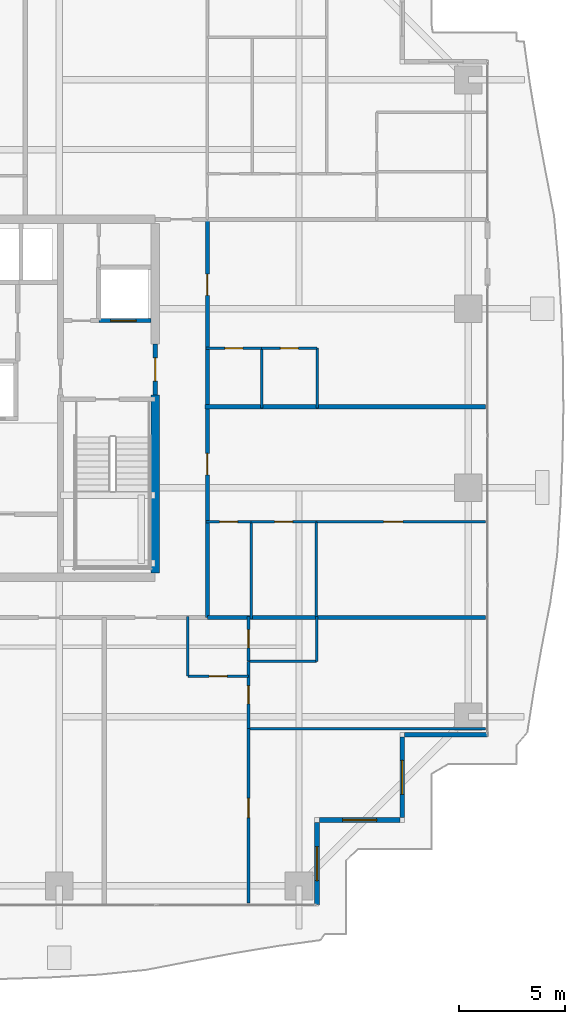
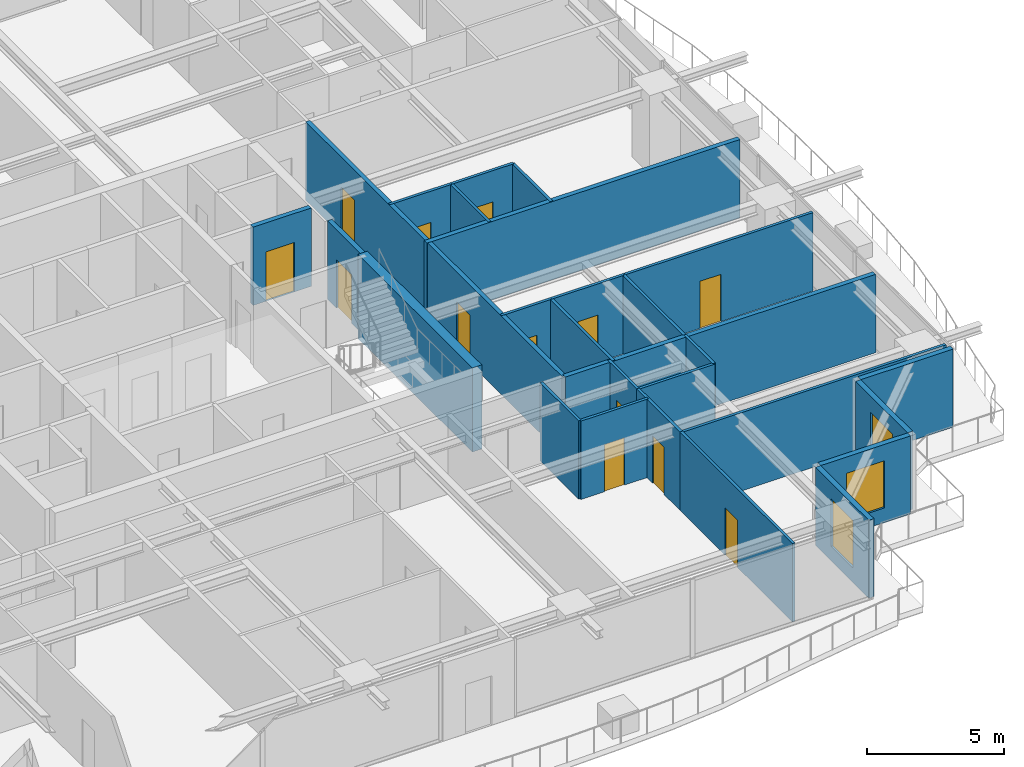
# One storey, part 28 of 36: 27 walls, 13 doors, 3 windows, 16 openings.
"""IFC4 building model written with IfcOpenShell, lengths in metres."""

from ifc_helpers import new_model, si_unit, direction, frame, frame_2d, origin, place, context, subcontext, project, spatial, rectangle, extrude, source, transform, mapped, material, layer, layer_set, type_object, element, fill, save


model = new_model("IFC4")

# Units and contexts
model_context = context("Model", 3, precision=1e-05, world=origin(), true_north=direction((0.0, 1.0)))
body_context = subcontext(model_context, "Body", "Model", "MODEL_VIEW")
ifc_project = project(units=[si_unit("LENGTHUNIT", "METRE"), si_unit("AREAUNIT", "SQUARE_METRE"), si_unit("VOLUMEUNIT", "CUBIC_METRE"), si_unit("PLANEANGLEUNIT", "RADIAN"), si_unit("MASSUNIT", "GRAM", prefix="KILO")], contexts=[model_context])

# Site, building, storey
site_placement = place(None, origin())
site = spatial("IfcSite", under=ifc_project, at=site_placement, CompositionType="ELEMENT")
building_placement = place(site_placement, origin())
building = spatial("IfcBuilding", under=site, at=building_placement, Name="Serunith Strait Residences", CompositionType="ELEMENT")
storey_placement = place(building_placement, frame((0.0, 0.0, 131.39990234375)))
storey = spatial("IfcBuildingStorey", under=building, at=storey_placement, Name="L32", CompositionType="ELEMENT", Elevation=131.39990234375)

# Wall, opening, window
ifc_material_1 = material(Name="Pale-Champagne Aluminium Insulated Panel", Category="aluminium")
ifc_layer_1 = layer(ifc_material_1, 0.219970703125, Name="Pale-Champagne Aluminium Insulated Panel")
ifc_layer_set_1 = layer_set([ifc_layer_1], Name="Pale-Champagne Aluminium Insulated Panel")
wall_type_1 = type_object("IfcWallType", Name="EW-ALUM-220", PredefinedType="ELEMENTEDWALL", material=ifc_layer_set_1)
wall_1_placement = place(storey_placement, frame((49.0, 1.39990234375, 0.0), z_axis=(0.0, 0.0, 1.0), x_axis=(0.0, 1.0, 0.0)))
wall_1 = element("IfcWall", 1, at=wall_1_placement, inside=storey, type_object=wall_type_1, Name="L32 Girih Serrated Corner Wall 02", PredefinedType="ELEMENTEDWALL", context=body_context, shape_type="SweptSolid", body=[
    extrude(rectangle(XDim=3.89013671875, YDim=0.219970703125, at=frame_2d((1.945068359375, 0.0))), origin(), (0.0, 0.0, 1.0), 3.47509765625),
])
opening_1_placement = place(wall_1_placement, frame((1.14501953125, 0.0, 0.64990234375)))
opening_1 = element("IfcOpeningElement", 2, at=opening_1_placement, cuts=wall_1, Name="Opening W-02", PredefinedType="OPENING", context=body_context, shape_type="SweptSolid", body=[
    extrude(rectangle(XDim=1.60009765625, YDim=2.10009765625, at=frame_2d((0.800048828125, 1.050048828125))), frame((0.0, 0.1201171875, 0.0), z_axis=(0.0, -1.0, 0.0), x_axis=(1.0, 0.0, 0.0)), (0.0, 0.0, 1.0), 0.239990234375),
])
ifc_material_2 = material(Name="Ceramic-Fritted Operable Aluminium Window Glass", Category="aluminium")
window_type = type_object("IfcWindowType", Name="WIN-C2", PartitioningType="DOUBLE_PANEL_VERTICAL", PredefinedType="WINDOW", material=ifc_material_2)
shared_shape_1 = source(origin(), body_context, "Body", "SweptSolid", [
    extrude(rectangle(XDim=1.60009765625, YDim=2.10009765625, at=frame_2d((0.800048828125, 1.050048828125))), frame((0.0, 0.030029296875, 0.0), z_axis=(0.0, -1.0, 0.0), x_axis=(1.0, 0.0, 0.0)), (0.0, 0.0, 1.0), 0.06005859375),
])
window_1_placement = place(opening_1_placement, origin())
window_1 = element("IfcWindow", 3, at=window_1_placement, inside=storey, type_object=window_type, Name="L32 Corner Operable Fritted Window 02", OverallHeight=2.10009765625, OverallWidth=1.60009765625, PartitioningType="SINGLE_PANEL", PredefinedType="WINDOW", context=body_context, shape_type="MappedRepresentation", body=[
    mapped(shared_shape_1, transform((0.0, 0.0, 0.0), scale=1.0)),
])
fill(opening_1, window_1)

wall_2_placement = place(storey_placement, frame((49.110107421875, 5.39990234375, 0.0), z_axis=(0.0, 0.0, 1.0), x_axis=(1.0, 0.0, 0.0)))
wall_2 = element("IfcWall", 4, at=wall_2_placement, inside=storey, type_object=wall_type_1, Name="L32 Girih Serrated Corner Wall 03", PredefinedType="ELEMENTEDWALL", context=body_context, shape_type="SweptSolid", body=[
    extrude(rectangle(XDim=3.77978515625, YDim=0.219970703125, at=frame_2d((1.889892578125, 0.0))), origin(), (0.0, 0.0, 1.0), 3.47509765625),
])
opening_2_placement = place(wall_2_placement, frame((1.090087890625, 0.0, 0.64990234375)))
opening_2 = element("IfcOpeningElement", 5, at=opening_2_placement, cuts=wall_2, Name="Opening W-02", PredefinedType="OPENING", context=body_context, shape_type="SweptSolid", body=[
    extrude(rectangle(XDim=1.60009765625, YDim=2.10009765625, at=frame_2d((0.800048828125, 1.050048828125))), frame((0.0, 0.1201171875, 0.0), z_axis=(0.0, -1.0, 0.0), x_axis=(1.0, 0.0, 0.0)), (0.0, 0.0, 1.0), 0.239990234375),
])
window_2_placement = place(opening_2_placement, origin())
window_2 = element("IfcWindow", 6, at=window_2_placement, inside=storey, type_object=window_type, Name="L32 Corner Operable Fritted Window 03", OverallHeight=2.10009765625, OverallWidth=1.60009765625, PartitioningType="SINGLE_PANEL", PredefinedType="WINDOW", context=body_context, shape_type="MappedRepresentation", body=[
    mapped(shared_shape_1, transform((0.0, 0.0, 0.0), scale=1.0)),
])
fill(opening_2, window_2)

wall_3_placement = place(storey_placement, frame((53.0, 5.510009765625, 0.0), z_axis=(0.0, 0.0, 1.0), x_axis=(0.0, 1.0, 0.0)))
wall_3 = element("IfcWall", 7, at=wall_3_placement, inside=storey, type_object=wall_type_1, Name="L32 Girih Serrated Corner Wall 04", PredefinedType="ELEMENTEDWALL", context=body_context, shape_type="SweptSolid", body=[
    extrude(rectangle(XDim=3.780029296875, YDim=0.219970703125, at=frame_2d((1.89013671875, 0.0))), origin(), (0.0, 0.0, 1.0), 3.47509765625),
])
opening_3_placement = place(wall_3_placement, frame((1.090087890625, 0.0, 0.64990234375)))
opening_3 = element("IfcOpeningElement", 8, at=opening_3_placement, cuts=wall_3, Name="Opening W-02", PredefinedType="OPENING", context=body_context, shape_type="SweptSolid", body=[
    extrude(rectangle(XDim=1.60009765625, YDim=2.10009765625, at=frame_2d((0.800048828125, 1.050048828125))), frame((0.0, 0.1201171875, 0.0), z_axis=(0.0, -1.0, 0.0), x_axis=(1.0, 0.0, 0.0)), (0.0, 0.0, 1.0), 0.239990234375),
])
window_3_placement = place(opening_3_placement, origin())
window_3 = element("IfcWindow", 9, at=window_3_placement, inside=storey, type_object=window_type, Name="L32 Corner Operable Fritted Window 04", OverallHeight=2.10009765625, OverallWidth=1.60009765625, PartitioningType="SINGLE_PANEL", PredefinedType="WINDOW", context=body_context, shape_type="MappedRepresentation", body=[
    mapped(shared_shape_1, transform((0.0, 0.0, 0.0), scale=1.0)),
])
fill(opening_3, window_3)

# Wall
wall_4_placement = place(storey_placement, frame((53.110107421875, 9.39990234375, 0.0), z_axis=(0.0, 0.0, 1.0), x_axis=(1.0, 0.0, 0.0)))
element("IfcWall", 10, at=wall_4_placement, inside=storey, type_object=wall_type_1, Name="L32 Girih Serrated Corner Wall 05", PredefinedType="ELEMENTEDWALL", context=body_context, shape_type="SweptSolid", body=[
    extrude(rectangle(XDim=3.889892578125, YDim=0.219970703125, at=frame_2d((1.94482421875, 0.0))), origin(), (0.0, 0.0, 1.0), 3.47509765625),
])

# Wall, openings, doors
ifc_material_3 = material(Name="Fire-rated acoustic gypsum partition")
ifc_layer_2 = layer(ifc_material_3, 0.179931640625, Name="Fire-rated acoustic gypsum partition")
ifc_layer_set_2 = layer_set([ifc_layer_2], Name="Fire-rated acoustic gypsum partition")
wall_type_2 = type_object("IfcWallType", Name="IW-CORR-180", PredefinedType="PARTITIONING", material=ifc_layer_set_2)
wall_5_placement = place(storey_placement, frame((43.85009765625, 14.89990234375, 0.0), z_axis=(0.0, 0.0, 1.0), x_axis=(0.0, 1.0, 0.0)))
wall_5 = element("IfcWall", 11, at=wall_5_placement, inside=storey, type_object=wall_type_2, Name="L32 Partition Wall 029", PredefinedType="PARTITIONING", context=body_context, shape_type="SweptSolid", body=[
    extrude(rectangle(XDim=18.7001953125, YDim=0.179931640625, at=frame_2d((9.35009765625, 0.0))), origin(), (0.0, 0.0, 1.0), 3.489990234375),
])
opening_4_placement = place(wall_5_placement, frame((6.7080078125, 0.0, 0.0)))
opening_4 = element("IfcOpeningElement", 12, at=opening_4_placement, cuts=wall_5, Name="Opening D-APT1000", PredefinedType="OPENING", context=body_context, shape_type="SweptSolid", body=[
    extrude(rectangle(XDim=1.0, YDim=2.14990234375, at=frame_2d((0.5, 1.074951171875))), frame((0.0, 0.10009765625, 0.0), z_axis=(0.0, -1.0, 0.0), x_axis=(1.0, 0.0, 0.0)), (0.0, 0.0, 1.0), 0.199951171875),
])
opening_5_placement = place(wall_5_placement, frame((15.134033203125, 0.0, 0.0)))
opening_5 = element("IfcOpeningElement", 13, at=opening_5_placement, cuts=wall_5, Name="Opening D-APT1000", PredefinedType="OPENING", context=body_context, shape_type="SweptSolid", body=[
    extrude(rectangle(XDim=1.0, YDim=2.14990234375, at=frame_2d((0.5, 1.074951171875))), frame((0.0, 0.10009765625, 0.0), z_axis=(0.0, -1.0, 0.0), x_axis=(1.0, 0.0, 0.0)), (0.0, 0.0, 1.0), 0.199951171875),
])
ifc_material_4 = material(Name="Solid timber engineered fire door", Category="wood")
door_type_1 = type_object("IfcDoorType", Name="ID-APT-1000", OperationType="NOTDEFINED", PredefinedType="DOOR", material=ifc_material_4)
shared_shape_2 = source(origin(), body_context, "Body", "SweptSolid", [
    extrude(rectangle(XDim=1.0, YDim=2.14990234375, at=frame_2d((0.5, 1.074951171875))), frame((0.0, 0.02490234375, 0.0), z_axis=(0.0, -1.0, 0.0), x_axis=(1.0, 0.0, 0.0)), (0.0, 0.0, 1.0), 0.050048828125),
])
door_1_placement = place(opening_4_placement, origin())
door_1 = element("IfcDoor", 14, at=door_1_placement, inside=storey, type_object=door_type_1, Name="L32 Unit 08 Entrance Door", OperationType="SINGLE_SWING_LEFT", OverallHeight=2.14990234375, OverallWidth=1.0, PredefinedType="DOOR", context=body_context, shape_type="MappedRepresentation", body=[
    mapped(shared_shape_2, transform((0.0, 0.0, 0.0), scale=1.0)),
])
fill(opening_4, door_1)
door_2_placement = place(opening_5_placement, origin())
door_2 = element("IfcDoor", 15, at=door_2_placement, inside=storey, type_object=door_type_1, Name="L32 Unit 09 Entrance Door", OperationType="SINGLE_SWING_RIGHT", OverallHeight=2.14990234375, OverallWidth=1.0, PredefinedType="DOOR", context=body_context, shape_type="MappedRepresentation", body=[
    mapped(shared_shape_2, transform((0.0, 0.0, 0.0), scale=1.0)),
])
fill(opening_5, door_2)

# Wall, opening, door
ifc_material_5 = material(Name="Lightweight steel-stud gypsum partition", Category="steel")
ifc_layer_3 = layer(ifc_material_5, 0.1201171875, Name="Lightweight steel-stud gypsum partition")
ifc_layer_set_3 = layer_set([ifc_layer_3], Name="Lightweight steel-stud gypsum partition")
wall_type_3 = type_object("IfcWallType", Name="IW-PART-120", PredefinedType="PARTITIONING", material=ifc_layer_set_3)
wall_6_placement = place(storey_placement, frame((42.929931640625, 12.14990234375, 0.0), z_axis=(0.0, 0.0, 1.0), x_axis=(1.0, 0.0, 0.0)))
wall_6 = element("IfcWall", 16, at=wall_6_placement, inside=storey, type_object=wall_type_3, Name="L32 Partition Wall 047", PredefinedType="PARTITIONING", context=body_context, shape_type="SweptSolid", body=[
    extrude(rectangle(XDim=2.85009765625, YDim=0.1201171875, at=frame_2d((1.425048828125, 0.0))), origin(), (0.0, 0.0, 1.0), 3.489990234375),
])
opening_6_placement = place(wall_6_placement, frame((1.0, 0.0, 0.0)))
opening_6 = element("IfcOpeningElement", 17, at=opening_6_placement, cuts=wall_6, Name="Opening D-RM850", PredefinedType="OPENING", context=body_context, shape_type="SweptSolid", body=[
    extrude(rectangle(XDim=0.85009765625, YDim=2.10009765625, at=frame_2d((0.425048828125, 1.050048828125))), frame((0.0, 0.070068359375, 0.0), z_axis=(0.0, -1.0, 0.0), x_axis=(1.0, 0.0, 0.0)), (0.0, 0.0, 1.0), 0.14013671875),
])
ifc_material_6 = material(Name="Engineered timber flush study and kitchen door", Category="wood")
door_type_2 = type_object("IfcDoorType", Name="ID-ROOM-850", OperationType="NOTDEFINED", PredefinedType="DOOR", material=ifc_material_6)
shared_shape_3 = source(origin(), body_context, "Body", "SweptSolid", [
    extrude(rectangle(XDim=0.85009765625, YDim=2.10009765625, at=frame_2d((0.425048828125, 1.050048828125))), frame((0.0, 0.02490234375, 0.0), z_axis=(0.0, -1.0, 0.0), x_axis=(1.0, 0.0, 0.0)), (0.0, 0.0, 1.0), 0.050048828125),
])
door_3_placement = place(opening_6_placement, origin())
door_3 = element("IfcDoor", 18, at=door_3_placement, inside=storey, type_object=door_type_2, Name="L32 Kitchen 3203 Door", OperationType="SINGLE_SWING_LEFT", OverallHeight=2.10009765625, OverallWidth=0.85009765625, PredefinedType="DOOR", context=body_context, shape_type="MappedRepresentation", body=[
    mapped(shared_shape_3, transform((0.0, 0.0, 0.0), scale=1.0)),
])
fill(opening_6, door_3)

# Wall
wall_7_placement = place(storey_placement, frame((42.929931640625, 12.14990234375, 0.0), z_axis=(0.0, 0.0, 1.0), x_axis=(0.0, 1.0, 0.0)))
element("IfcWall", 19, at=wall_7_placement, inside=storey, type_object=wall_type_3, Name="L32 Partition Wall 048", PredefinedType="PARTITIONING", context=body_context, shape_type="SweptSolid", body=[
    extrude(rectangle(XDim=2.81005859375, YDim=0.1201171875, at=frame_2d((1.405029296875, 0.0))), origin(), (0.0, 0.0, 1.0), 3.489990234375),
])

# Wall, opening, door
wall_8_placement = place(storey_placement, frame((45.780029296875, 1.4951171875, 0.0), z_axis=(0.0, 0.0, 1.0), x_axis=(0.0, 1.0, 0.0)))
wall_8 = element("IfcWall", 20, at=wall_8_placement, inside=storey, type_object=wall_type_3, Name="L32 Partition Wall 049", PredefinedType="PARTITIONING", context=body_context, shape_type="SweptSolid", body=[
    extrude(rectangle(XDim=8.19482421875, YDim=0.1201171875, at=frame_2d((4.097412109375, 0.0))), origin(), (0.0, 0.0, 1.0), 3.489990234375),
])
opening_7_placement = place(wall_8_placement, frame((4.011962890625, 0.0, 0.0)))
opening_7 = element("IfcOpeningElement", 21, at=opening_7_placement, cuts=wall_8, Name="Opening D-RM900", PredefinedType="OPENING", context=body_context, shape_type="SweptSolid", body=[
    extrude(rectangle(XDim=0.89990234375, YDim=2.10009765625, at=frame_2d((0.449951171875, 1.050048828125))), frame((0.0, 0.070068359375, 0.0), z_axis=(0.0, -1.0, 0.0), x_axis=(1.0, 0.0, 0.0)), (0.0, 0.0, 1.0), 0.14013671875),
])
ifc_material_7 = material(Name="Engineered timber flush bedroom door", Category="wood")
door_type_3 = type_object("IfcDoorType", Name="ID-ROOM-900", OperationType="NOTDEFINED", PredefinedType="DOOR", material=ifc_material_7)
shared_shape_4 = source(origin(), body_context, "Body", "SweptSolid", [
    extrude(rectangle(XDim=0.89990234375, YDim=2.10009765625, at=frame_2d((0.449951171875, 1.050048828125))), frame((0.0, 0.02490234375, 0.0), z_axis=(0.0, -1.0, 0.0), x_axis=(1.0, 0.0, 0.0)), (0.0, 0.0, 1.0), 0.050048828125),
])
door_4_placement = place(opening_7_placement, origin())
door_4 = element("IfcDoor", 22, at=door_4_placement, inside=storey, type_object=door_type_3, Name="L32 Master Bedroom 1 3203 Door", OperationType="SINGLE_SWING_RIGHT", OverallHeight=2.10009765625, OverallWidth=0.89990234375, PredefinedType="DOOR", context=body_context, shape_type="MappedRepresentation", body=[
    mapped(shared_shape_4, transform((0.0, 0.0, 0.0), scale=1.0)),
])
fill(opening_7, door_4)

# Walls
wall_9_placement = place(storey_placement, frame((45.780029296875, 9.68994140625, 0.0), z_axis=(0.0, 0.0, 1.0), x_axis=(1.0, 0.0, 0.0)))
element("IfcWall", 23, at=wall_9_placement, inside=storey, type_object=wall_type_3, Name="L32 Partition Wall 050", PredefinedType="PARTITIONING", context=body_context, shape_type="SweptSolid", body=[
    extrude(rectangle(XDim=11.125, YDim=0.1201171875, at=frame_2d((5.5625, 0.0))), origin(), (0.0, 0.0, 1.0), 3.489990234375),
])
wall_10_placement = place(storey_placement, frame((45.780029296875, 12.85009765625, 0.0), z_axis=(0.0, 0.0, 1.0), x_axis=(1.0, 0.0, 0.0)))
element("IfcWall", 24, at=wall_10_placement, inside=storey, type_object=wall_type_3, Name="L32 Partition Wall 051", PredefinedType="PARTITIONING", context=body_context, shape_type="SweptSolid", body=[
    extrude(rectangle(XDim=3.199951171875, YDim=0.1201171875, at=frame_2d((1.60009765625, 0.0))), origin(), (0.0, 0.0, 1.0), 3.489990234375),
])
wall_11_placement = place(storey_placement, frame((48.97998046875, 12.85009765625, 0.0), z_axis=(0.0, 0.0, 1.0), x_axis=(0.0, 1.0, 0.0)))
element("IfcWall", 25, at=wall_11_placement, inside=storey, type_object=wall_type_3, Name="L32 Partition Wall 052", PredefinedType="PARTITIONING", context=body_context, shape_type="SweptSolid", body=[
    extrude(rectangle(XDim=2.10986328125, YDim=0.1201171875, at=frame_2d((1.054931640625, 0.0))), origin(), (0.0, 0.0, 1.0), 3.489990234375),
])

# Wall, opening, door
wall_12_placement = place(storey_placement, frame((45.780029296875, 9.69189453125, 0.0), z_axis=(0.0, 0.0, 1.0), x_axis=(0.0, 1.0, 0.0)))
wall_12 = element("IfcWall", 26, at=wall_12_placement, inside=storey, type_object=wall_type_3, Name="L32 Partition Wall 053", PredefinedType="PARTITIONING", context=body_context, shape_type="SweptSolid", body=[
    extrude(rectangle(XDim=3.158203125, YDim=0.1201171875, at=frame_2d((1.5791015625, 0.0))), origin(), (0.0, 0.0, 1.0), 3.489990234375),
])
opening_8_placement = place(wall_12_placement, frame((1.154052734375, 0.0, 0.0)))
opening_8 = element("IfcOpeningElement", 27, at=opening_8_placement, cuts=wall_12, Name="Opening D-RM850", PredefinedType="OPENING", context=body_context, shape_type="SweptSolid", body=[
    extrude(rectangle(XDim=0.85009765625, YDim=2.10009765625, at=frame_2d((0.425048828125, 1.050048828125))), frame((0.0, 0.070068359375, 0.0), z_axis=(0.0, -1.0, 0.0), x_axis=(1.0, 0.0, 0.0)), (0.0, 0.0, 1.0), 0.14013671875),
])
door_5_placement = place(opening_8_placement, origin())
door_5 = element("IfcDoor", 28, at=door_5_placement, inside=storey, type_object=door_type_2, Name="L32 Walk-in Wardrobe 3203 Door", OperationType="SINGLE_SWING_LEFT", OverallHeight=2.10009765625, OverallWidth=0.85009765625, PredefinedType="DOOR", context=body_context, shape_type="MappedRepresentation", body=[
    mapped(shared_shape_3, transform((0.0, 0.0, 0.0), scale=1.0)),
])
fill(opening_8, door_5)

wall_13_placement = place(storey_placement, frame((45.780029296875, 12.85205078125, 0.0), z_axis=(0.0, 0.0, 1.0), x_axis=(0.0, 1.0, 0.0)))
wall_13 = element("IfcWall", 29, at=wall_13_placement, inside=storey, type_object=wall_type_3, Name="L32 Partition Wall 054", PredefinedType="PARTITIONING", context=body_context, shape_type="SweptSolid", body=[
    extrude(rectangle(XDim=2.10791015625, YDim=0.1201171875, at=frame_2d((1.053955078125, 0.0))), origin(), (0.0, 0.0, 1.0), 3.489990234375),
])
opening_9_placement = place(wall_13_placement, frame((0.62890625, 0.0, 0.0)))
opening_9 = element("IfcOpeningElement", 30, at=opening_9_placement, cuts=wall_13, Name="Opening D-BTH850", PredefinedType="OPENING", context=body_context, shape_type="SweptSolid", body=[
    extrude(rectangle(XDim=0.85009765625, YDim=2.10009765625, at=frame_2d((0.425048828125, 1.050048828125))), frame((0.0, 0.070068359375, 0.0), z_axis=(0.0, -1.0, 0.0), x_axis=(1.0, 0.0, 0.0)), (0.0, 0.0, 1.0), 0.14013671875),
])
ifc_material_8 = material(Name="Moisture-resistant timber bathroom door", Category="wood")
door_type_4 = type_object("IfcDoorType", Name="ID-BATH-850", OperationType="NOTDEFINED", PredefinedType="DOOR", material=ifc_material_8)
door_6_placement = place(opening_9_placement, origin())
door_6 = element("IfcDoor", 31, at=door_6_placement, inside=storey, type_object=door_type_4, Name="L32 Bathroom 3203 Door", OperationType="SINGLE_SWING_RIGHT", OverallHeight=2.10009765625, OverallWidth=0.85009765625, PredefinedType="DOOR", context=body_context, shape_type="MappedRepresentation", body=[
    mapped(shared_shape_3, transform((0.0, 0.0, 0.0), scale=1.0)),
])
fill(opening_9, door_6)

wall_14_placement = place(storey_placement, frame((56.905029296875, 19.39990234375, 0.0), z_axis=(0.0, 0.0, 1.0), x_axis=(-1.0, 0.0, 0.0)))
wall_14 = element("IfcWall", 32, at=wall_14_placement, inside=storey, type_object=wall_type_3, Name="L32 Partition Wall 090", PredefinedType="PARTITIONING", context=body_context, shape_type="SweptSolid", body=[
    extrude(rectangle(XDim=7.950927734375, YDim=0.1201171875, at=frame_2d((3.9755859375, 0.0))), origin(), (0.0, 0.0, 1.0), 3.489990234375),
])
opening_10_placement = place(wall_14_placement, frame((3.8779296875, 0.0, 0.0)))
opening_10 = element("IfcOpeningElement", 33, at=opening_10_placement, cuts=wall_14, Name="Opening D-RM900", PredefinedType="OPENING", context=body_context, shape_type="SweptSolid", body=[
    extrude(rectangle(XDim=0.89990234375, YDim=2.10009765625, at=frame_2d((0.449951171875, 1.050048828125))), frame((0.0, 0.070068359375, 0.0), z_axis=(0.0, -1.0, 0.0), x_axis=(1.0, 0.0, 0.0)), (0.0, 0.0, 1.0), 0.14013671875),
])
door_7_placement = place(opening_10_placement, origin())
door_7 = element("IfcDoor", 34, at=door_7_placement, inside=storey, type_object=door_type_3, Name="L32 Master Bedroom 1 3208 Door", OperationType="SINGLE_SWING_RIGHT", OverallHeight=2.10009765625, OverallWidth=0.89990234375, PredefinedType="DOOR", context=body_context, shape_type="MappedRepresentation", body=[
    mapped(shared_shape_4, transform((0.0, 0.0, 0.0), scale=1.0)),
])
fill(opening_10, door_7)

# Walls
wall_15_placement = place(storey_placement, frame((48.9541015625, 14.9619140625, 0.0), z_axis=(0.0, 0.0, 1.0), x_axis=(0.0, 1.0, 0.0)))
element("IfcWall", 35, at=wall_15_placement, inside=storey, type_object=wall_type_3, Name="L32 Partition Wall 091", PredefinedType="PARTITIONING", context=body_context, shape_type="SweptSolid", body=[
    extrude(rectangle(XDim=4.43798828125, YDim=0.1201171875, at=frame_2d((2.218994140625, 0.0))), origin(), (0.0, 0.0, 1.0), 3.489990234375),
])
wall_16_placement = place(storey_placement, frame((45.89990234375, 14.840087890625, 0.0), z_axis=(0.0, 0.0, 1.0), x_axis=(0.0, 1.0, 0.0)))
element("IfcWall", 36, at=wall_16_placement, inside=storey, type_object=wall_type_3, Name="L32 Partition Wall 092", PredefinedType="PARTITIONING", context=body_context, shape_type="SweptSolid", body=[
    extrude(rectangle(XDim=4.559814453125, YDim=0.1201171875, at=frame_2d((2.27978515625, 0.0))), origin(), (0.0, 0.0, 1.0), 3.489990234375),
])

# Wall, opening, door
wall_17_placement = place(storey_placement, frame((48.951904296875, 19.39990234375, 0.0), z_axis=(0.0, 0.0, 1.0), x_axis=(-1.0, 0.0, 0.0)))
wall_17 = element("IfcWall", 37, at=wall_17_placement, inside=storey, type_object=wall_type_3, Name="L32 Partition Wall 093", PredefinedType="PARTITIONING", context=body_context, shape_type="SweptSolid", body=[
    extrude(rectangle(XDim=3.052001953125, YDim=0.1201171875, at=frame_2d((1.52587890625, 0.0))), origin(), (0.0, 0.0, 1.0), 3.489990234375),
])
opening_11_placement = place(wall_17_placement, frame((1.10107421875, 0.0, 0.0)))
opening_11 = element("IfcOpeningElement", 38, at=opening_11_placement, cuts=wall_17, Name="Opening D-RM850", PredefinedType="OPENING", context=body_context, shape_type="SweptSolid", body=[
    extrude(rectangle(XDim=0.85009765625, YDim=2.10009765625, at=frame_2d((0.425048828125, 1.050048828125))), frame((0.0, 0.070068359375, 0.0), z_axis=(0.0, -1.0, 0.0), x_axis=(1.0, 0.0, 0.0)), (0.0, 0.0, 1.0), 0.14013671875),
])
door_8_placement = place(opening_11_placement, origin())
door_8 = element("IfcDoor", 39, at=door_8_placement, inside=storey, type_object=door_type_2, Name="L32 Kitchen 3208 Door", OperationType="SINGLE_SWING_LEFT", OverallHeight=2.10009765625, OverallWidth=0.85009765625, PredefinedType="DOOR", context=body_context, shape_type="MappedRepresentation", body=[
    mapped(shared_shape_3, transform((0.0, 0.0, 0.0), scale=1.0)),
])
fill(opening_11, door_8)

wall_18_placement = place(storey_placement, frame((45.89794921875, 19.39990234375, 0.0), z_axis=(0.0, 0.0, 1.0), x_axis=(-1.0, 0.0, 0.0)))
wall_18 = element("IfcWall", 40, at=wall_18_placement, inside=storey, type_object=wall_type_3, Name="L32 Partition Wall 094", PredefinedType="PARTITIONING", context=body_context, shape_type="SweptSolid", body=[
    extrude(rectangle(XDim=2.10791015625, YDim=0.1201171875, at=frame_2d((1.053955078125, 0.0))), origin(), (0.0, 0.0, 1.0), 3.489990234375),
])
opening_12_placement = place(wall_18_placement, frame((0.62890625, 0.0, 0.0)))
opening_12 = element("IfcOpeningElement", 41, at=opening_12_placement, cuts=wall_18, Name="Opening D-BTH850", PredefinedType="OPENING", context=body_context, shape_type="SweptSolid", body=[
    extrude(rectangle(XDim=0.85009765625, YDim=2.10009765625, at=frame_2d((0.425048828125, 1.050048828125))), frame((0.0, 0.070068359375, 0.0), z_axis=(0.0, -1.0, 0.0), x_axis=(1.0, 0.0, 0.0)), (0.0, 0.0, 1.0), 0.14013671875),
])
door_9_placement = place(opening_12_placement, origin())
door_9 = element("IfcDoor", 42, at=door_9_placement, inside=storey, type_object=door_type_4, Name="L32 Bathroom 3208 Door", OperationType="SINGLE_SWING_RIGHT", OverallHeight=2.10009765625, OverallWidth=0.85009765625, PredefinedType="DOOR", context=body_context, shape_type="MappedRepresentation", body=[
    mapped(shared_shape_3, transform((0.0, 0.0, 0.0), scale=1.0)),
])
fill(opening_12, door_9)

wall_19_placement = place(storey_placement, frame((49.0, 27.550048828125, 0.0), z_axis=(0.0, 0.0, 1.0), x_axis=(-1.0, 0.0, 0.0)))
wall_19 = element("IfcWall", 43, at=wall_19_placement, inside=storey, type_object=wall_type_3, Name="L32 Partition Wall 095", PredefinedType="PARTITIONING", context=body_context, shape_type="SweptSolid", body=[
    extrude(rectangle(XDim=2.60009765625, YDim=0.1201171875, at=frame_2d((1.300048828125, 0.0))), origin(), (0.0, 0.0, 1.0), 3.489990234375),
])
opening_13_placement = place(wall_19_placement, frame((0.875, 0.0, 0.0)))
opening_13 = element("IfcOpeningElement", 44, at=opening_13_placement, cuts=wall_19, Name="Opening D-RM850", PredefinedType="OPENING", context=body_context, shape_type="SweptSolid", body=[
    extrude(rectangle(XDim=0.85009765625, YDim=2.10009765625, at=frame_2d((0.425048828125, 1.050048828125))), frame((0.0, 0.070068359375, 0.0), z_axis=(0.0, -1.0, 0.0), x_axis=(1.0, 0.0, 0.0)), (0.0, 0.0, 1.0), 0.14013671875),
])
door_10_placement = place(opening_13_placement, origin())
door_10 = element("IfcDoor", 45, at=door_10_placement, inside=storey, type_object=door_type_2, Name="L32 Kitchen 3209 Door", OperationType="SINGLE_SWING_LEFT", OverallHeight=2.10009765625, OverallWidth=0.85009765625, PredefinedType="DOOR", context=body_context, shape_type="MappedRepresentation", body=[
    mapped(shared_shape_3, transform((0.0, 0.0, 0.0), scale=1.0)),
])
fill(opening_13, door_10)

wall_20_placement = place(storey_placement, frame((46.39794921875, 27.550048828125, 0.0), z_axis=(0.0, 0.0, 1.0), x_axis=(-1.0, 0.0, 0.0)))
wall_20 = element("IfcWall", 46, at=wall_20_placement, inside=storey, type_object=wall_type_3, Name="L32 Partition Wall 096", PredefinedType="PARTITIONING", context=body_context, shape_type="SweptSolid", body=[
    extrude(rectangle(XDim=2.60791015625, YDim=0.1201171875, at=frame_2d((1.303955078125, 0.0))), origin(), (0.0, 0.0, 1.0), 3.489990234375),
])
opening_14_placement = place(wall_20_placement, frame((0.87890625, 0.0, 0.0)))
opening_14 = element("IfcOpeningElement", 47, at=opening_14_placement, cuts=wall_20, Name="Opening D-BTH850", PredefinedType="OPENING", context=body_context, shape_type="SweptSolid", body=[
    extrude(rectangle(XDim=0.85009765625, YDim=2.10009765625, at=frame_2d((0.425048828125, 1.050048828125))), frame((0.0, 0.070068359375, 0.0), z_axis=(0.0, -1.0, 0.0), x_axis=(1.0, 0.0, 0.0)), (0.0, 0.0, 1.0), 0.14013671875),
])
door_11_placement = place(opening_14_placement, origin())
door_11 = element("IfcDoor", 48, at=door_11_placement, inside=storey, type_object=door_type_4, Name="L32 Bathroom 3209 Door", OperationType="SINGLE_SWING_RIGHT", OverallHeight=2.10009765625, OverallWidth=0.85009765625, PredefinedType="DOOR", context=body_context, shape_type="MappedRepresentation", body=[
    mapped(shared_shape_3, transform((0.0, 0.0, 0.0), scale=1.0)),
])
fill(opening_14, door_11)

# Walls
for number, where, z_axis, x_axis, name in (
    (49, (46.39990234375, 24.739990234375, 0.0), (0.0, 0.0, 1.0), (0.0, 1.0, 0.0), "L32 Partition Wall 097"),
    (50, (49.0, 24.739990234375, 0.0), (0.0, 0.0, 1.0), (0.0, 1.0, 0.0), "L32 Partition Wall 098"),
):
    element("IfcWall", number, at=place(storey_placement, frame(where, z_axis=z_axis, x_axis=x_axis)), inside=storey, type_object=wall_type_3, Name=name, PredefinedType="PARTITIONING", context=body_context, shape_type="SweptSolid", body=[
        extrude(rectangle(XDim=2.81005859375, YDim=0.1201171875, at=frame_2d((1.405029296875, 0.0))), origin(), (0.0, 0.0, 1.0), 3.489990234375),
    ])
ifc_material_9 = material(Name="Twin-stud acoustic gypsum board partition")
ifc_layer_4 = layer(ifc_material_9, 0.199951171875, Name="Twin-stud acoustic gypsum board partition")
ifc_layer_set_4 = layer_set([ifc_layer_4], Name="Twin-stud acoustic gypsum board partition")
wall_type_4 = type_object("IfcWallType", Name="IW-PARTY-200", PredefinedType="PARTITIONING", material=ifc_layer_set_4)
wall_21_placement = place(storey_placement, frame((43.72998046875, 24.800048828125, 0.0), z_axis=(0.0, 0.0, 1.0), x_axis=(1.0, 0.0, 0.0)))
element("IfcWall", 51, at=wall_21_placement, inside=storey, type_object=wall_type_4, Name="L32 Partition Wall 022", PredefinedType="PARTITIONING", context=body_context, shape_type="SweptSolid", body=[
    extrude(rectangle(XDim=13.18798828125, YDim=0.199951171875, at=frame_2d((6.593994140625, 0.0))), origin(), (0.0, 0.0, 1.0), 3.489990234375),
])
wall_22_placement = place(storey_placement, frame((43.85009765625, 14.89990234375, 0.0), z_axis=(0.0, 0.0, 1.0), x_axis=(1.0, 0.0, 0.0)))
element("IfcWall", 52, at=wall_22_placement, inside=storey, type_object=wall_type_4, Name="L32 Partition Wall 024", PredefinedType="PARTITIONING", context=body_context, shape_type="SweptSolid", body=[
    extrude(rectangle(XDim=13.06787109375, YDim=0.199951171875, at=frame_2d((6.533935546875, 0.0))), origin(), (0.0, 0.0, 1.0), 3.489990234375),
])

# Wall, opening, door
ifc_material_10 = material(Name="Autoclaved aerated concrete blockwork", Category="masonry")
ifc_layer_5 = layer(ifc_material_10, 0.199951171875, Name="Autoclaved aerated concrete blockwork")
ifc_layer_set_5 = layer_set([ifc_layer_5], Name="Autoclaved aerated concrete blockwork")
wall_type_5 = type_object("IfcWallType", Name="IW-SHAFT-200", PredefinedType="STANDARD", material=ifc_layer_set_5)
wall_23_placement = place(storey_placement, frame((38.75, 28.85009765625, 0.0), z_axis=(0.0, 0.0, 1.0), x_axis=(1.0, 0.0, 0.0)))
wall_23 = element("IfcWall", 53, at=wall_23_placement, inside=storey, type_object=wall_type_5, Name="L32 FL-2 South Shaft Wall", PredefinedType="STANDARD", context=body_context, shape_type="SweptSolid", body=[
    extrude(rectangle(XDim=2.449951171875, YDim=0.199951171875, at=frame_2d((1.22509765625, 0.0))), origin(), (0.0, 0.0, 1.0), 3.489990234375),
])
opening_15_placement = place(wall_23_placement, frame((0.550048828125, 0.0, 0.0)))
opening_15 = element("IfcOpeningElement", 54, at=opening_15_placement, cuts=wall_23, Name="Opening LD-FF1200", PredefinedType="OPENING", context=body_context, shape_type="SweptSolid", body=[
    extrude(rectangle(XDim=1.199951171875, YDim=2.199951171875, at=frame_2d((0.60009765625, 1.10009765625))), frame((0.0, 0.10986328125, 0.0), z_axis=(0.0, -1.0, 0.0), x_axis=(1.0, 0.0, 0.0)), (0.0, 0.0, 1.0), 0.219970703125),
])
ifc_material_11 = material(Name="Brushed stainless steel landing door", Category="steel")
door_type_5 = type_object("IfcDoorType", Name="LD-FF-1200", OperationType="DOUBLE_DOOR_SLIDING", PredefinedType="DOOR", material=ifc_material_11)
shared_shape_5 = source(origin(), body_context, "Body", "SweptSolid", [
    extrude(rectangle(XDim=1.199951171875, YDim=2.199951171875, at=frame_2d((0.60009765625, 1.10009765625))), frame((0.0, 0.02490234375, 0.0), z_axis=(0.0, -1.0, 0.0), x_axis=(1.0, 0.0, 0.0)), (0.0, 0.0, 1.0), 0.050048828125),
])
door_12_placement = place(opening_15_placement, origin())
door_12 = element("IfcDoor", 55, at=door_12_placement, inside=storey, type_object=door_type_5, Name="L32 FL-2 Landing Door", OperationType="DOUBLE_DOOR_SLIDING", OverallHeight=2.199951171875, OverallWidth=1.199951171875, PredefinedType="DOOR", context=body_context, shape_type="MappedRepresentation", body=[
    mapped(shared_shape_5, transform((0.0, 0.0, 0.0), scale=1.0)),
])
fill(opening_15, door_12)

wall_24_placement = place(storey_placement, frame((41.39990234375, 25.35205078125, 0.0), z_axis=(0.0, 0.0, 1.0), x_axis=(0.0, 1.0, 0.0)))
wall_24 = element("IfcWall", 56, at=wall_24_placement, inside=storey, type_object=wall_type_5, Name="L32 Partition Wall 008", PredefinedType="STANDARD", context=body_context, shape_type="SweptSolid", body=[
    extrude(rectangle(XDim=2.39599609375, YDim=0.199951171875, at=frame_2d((1.197998046875, 0.0))), origin(), (0.0, 0.0, 1.0), 3.489990234375),
])
opening_16_placement = place(wall_24_placement, frame((0.64794921875, 0.0, 0.0)))
opening_16 = element("IfcOpeningElement", 57, at=opening_16_placement, cuts=wall_24, Name="Opening FD-FFL", PredefinedType="OPENING", context=body_context, shape_type="SweptSolid", body=[
    extrude(rectangle(XDim=1.10009765625, YDim=2.14990234375, at=frame_2d((0.550048828125, 1.074951171875))), frame((0.0, 0.10986328125, 0.0), z_axis=(0.0, -1.0, 0.0), x_axis=(1.0, 0.0, 0.0)), (0.0, 0.0, 1.0), 0.219970703125),
])
ifc_material_12 = material(Name="Glazed steel smoke-lobby fire door", Category="steel")
door_type_6 = type_object("IfcDoorType", Name="FD-FFL-1100", OperationType="NOTDEFINED", PredefinedType="DOOR", material=ifc_material_12)
shared_shape_6 = source(origin(), body_context, "Body", "SweptSolid", [
    extrude(rectangle(XDim=1.10009765625, YDim=2.14990234375, at=frame_2d((0.550048828125, 1.074951171875))), frame((0.0, 0.02490234375, 0.0), z_axis=(0.0, -1.0, 0.0), x_axis=(1.0, 0.0, 0.0)), (0.0, 0.0, 1.0), 0.050048828125),
])
door_13_placement = place(opening_16_placement, origin())
door_13 = element("IfcDoor", 58, at=door_13_placement, inside=storey, type_object=door_type_6, Name="L32 FFL-2 Corridor Fire Door", OperationType="SINGLE_SWING_RIGHT", OverallHeight=2.14990234375, OverallWidth=1.10009765625, PredefinedType="DOOR", context=body_context, shape_type="MappedRepresentation", body=[
    mapped(shared_shape_6, transform((0.0, 0.0, 0.0), scale=1.0)),
])
fill(opening_16, door_13)

# Wall
ifc_material_13 = material(Name="Concrete C70/85", Category="concrete")
ifc_layer_6 = layer(ifc_material_13, 0.39990234375, Name="Concrete C70/85")
ifc_layer_set_6 = layer_set([ifc_layer_6], Name="Concrete C70/85")
wall_type_6 = type_object("IfcWallType", Name="SW-400-C70", PredefinedType="SHEAR", material=ifc_layer_set_6)
wall_25_placement = place(storey_placement, frame((41.39990234375, 17.0, -0.260009765625), z_axis=(0.0, 0.0, 1.0), x_axis=(0.0, 1.0, 0.0)))
element("IfcWall", 59, at=wall_25_placement, inside=storey, type_object=wall_type_6, Name="L32 Core East Shear Wall South Pier", PredefinedType="SHEAR", context=body_context, shape_type="SweptSolid", body=[
    extrude(rectangle(XDim=8.35009765625, YDim=0.39990234375, at=frame_2d((4.175048828125, 0.0))), origin(), (0.0, 0.0, 1.0), 3.748046875),
])

save(model, "model.ifc")
